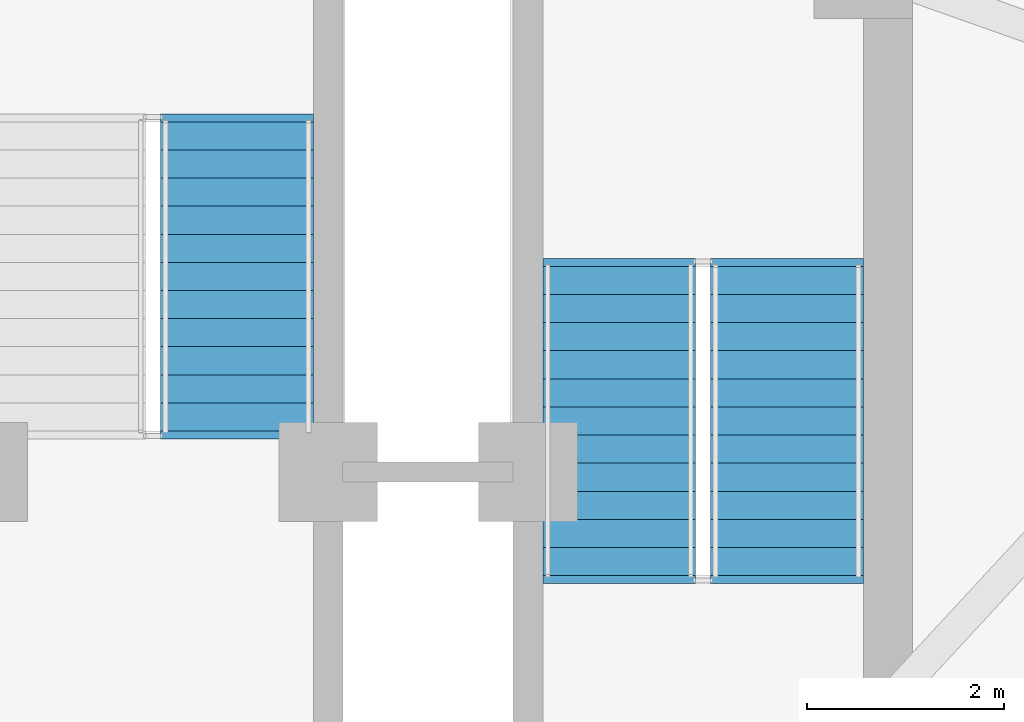
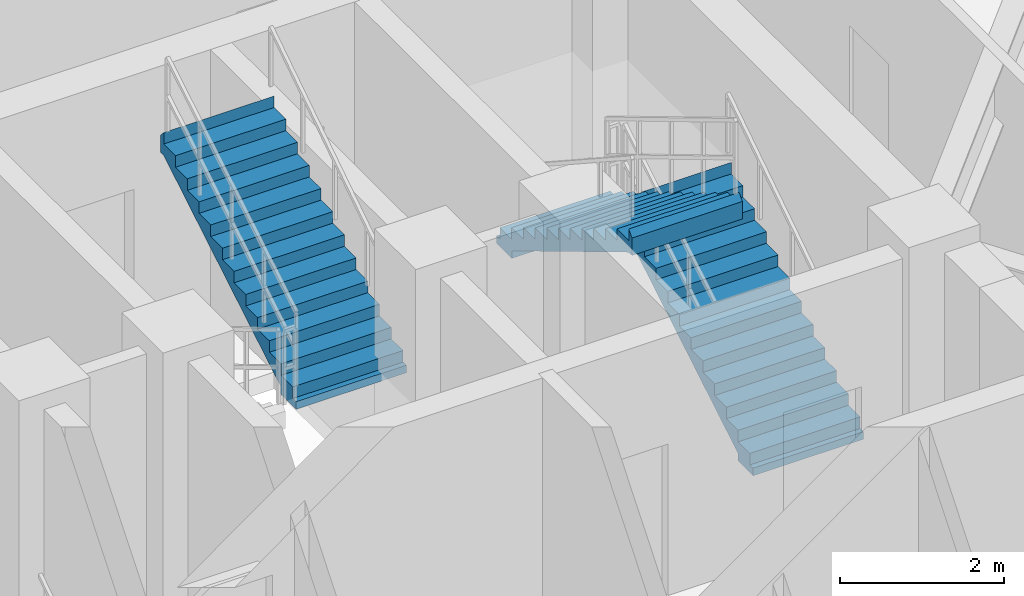
# One storey, part 7 of 10: 3 stair flights, 2 elements without a shape of their own.
"""IFC4 building model written with IfcOpenShell, lengths in metres."""

from ifc_helpers import new_model, si_unit, direction, frame, origin, place, context, subcontext, project, spatial, polyline, outline, extrude, material, type_object, element, aggregate, save


model = new_model("IFC4")

# Units and contexts
model_context = context("Model", 3, precision=1e-05, world=origin(), true_north=direction((0.0, 1.0)))
body_context = subcontext(model_context, "Body", "Model", "MODEL_VIEW")
ifc_project = project(units=[si_unit("LENGTHUNIT", "METRE"), si_unit("AREAUNIT", "SQUARE_METRE"), si_unit("VOLUMEUNIT", "CUBIC_METRE"), si_unit("PLANEANGLEUNIT", "RADIAN"), si_unit("MASSUNIT", "GRAM", prefix="KILO")], contexts=[model_context])

# Site, building, storey
site_placement = place(None, origin())
site = spatial("IfcSite", under=ifc_project, at=site_placement, CompositionType="ELEMENT")
building_placement = place(site_placement, origin())
building = spatial("IfcBuilding", under=site, at=building_placement, Name="Apsidion Concourse Tower", CompositionType="ELEMENT")
storey_placement = place(building_placement, frame((0.0, 0.0, 286.0)))
storey = spatial("IfcBuildingStorey", under=building, at=storey_placement, Name="L67", CompositionType="ELEMENT", Elevation=286.0)

# Stair, stair flights
ifc_material = material(Name="Precast concrete C40/50", Category="concrete")
stair_type = type_object("IfcStairType", Name="ST-DL-1550", PredefinedType="HALF_TURN_STAIR", material=ifc_material)
stair_1_placement = place(storey_placement, origin())
stair_1 = element("IfcStair", 1, at=stair_1_placement, inside=storey, type_object=stair_type, Name="L67 Protected Core Exit Stair ST2", PredefinedType="HALF_TURN_STAIR")
stair_flight_type = type_object("IfcStairFlightType", Name="SFL-RC-1550", PredefinedType="STRAIGHT", material=ifc_material)
stair_flight_1_placement = place(storey_placement, frame((6.425048828125, 3.0, 0.0), z_axis=(0.0, 0.0, 1.0), x_axis=(0.0, 1.0, 0.0)))
stair_flight_1 = element("IfcStairFlight", 2, at=stair_flight_1_placement, type_object=stair_flight_type, Name="ST2 flight 1", NumberOfRisers=12, NumberOfTreads=11, PredefinedType="STRAIGHT", RiserHeight=0.170833333, TreadLength=0.285, context=body_context, shape_type="SweptSolid", body=[
    extrude(outline(polyline([(-0.080078125, -0.1123046875), (-0.080078125, 0.0), (0.0, 0.0), (0.0, 0.1708984375), (0.284912109375, 0.1708984375), (0.284912109375, 0.341552734375), (0.570068359375, 0.341552734375), (0.570068359375, 0.512451171875), (0.85498046875, 0.512451171875), (0.85498046875, 0.683349609375), (1.139892578125, 0.683349609375), (1.139892578125, 0.854248046875), (1.425048828125, 0.854248046875), (1.425048828125, 1.02490234375), (1.7099609375, 1.02490234375), (1.7099609375, 1.19580078125), (1.9951171875, 1.19580078125), (1.9951171875, 1.36669921875), (2.280029296875, 1.36669921875), (2.280029296875, 1.53759765625), (2.56494140625, 1.53759765625), (2.56494140625, 1.708251953125), (2.85009765625, 1.708251953125), (2.85009765625, 1.879150390625), (3.135009765625, 1.879150390625), (3.135009765625, 2.050048828125), (3.215087890625, 1.964599609375), (3.215087890625, 1.704345703125), (3.135009765625, 1.704345703125), (0.29150390625, 0.0), (0.29150390625, -0.1123046875), (-0.080078125, -0.1123046875)])), frame((0.0, 0.77490234375, 0.0), z_axis=(0.0, -1.0, 0.0), x_axis=(1.0, 0.0, 0.0)), (0.0, 0.0, 1.0), 1.550048828125),
])
stair_flight_2_placement = place(storey_placement, frame((4.72509765625, 6.135009765625, 2.050048828125), z_axis=(0.0, 0.0, 1.0), x_axis=(0.0, -1.0, 0.0)))
stair_flight_2 = element("IfcStairFlight", 3, at=stair_flight_2_placement, type_object=stair_flight_type, Name="ST2 flight 2", NumberOfRisers=12, NumberOfTreads=11, PredefinedType="STRAIGHT", RiserHeight=0.170833333, TreadLength=0.285, context=body_context, shape_type="SweptSolid", body=[
    extrude(outline(polyline([(-0.080078125, -0.1123046875), (-0.080078125, 0.0), (0.0, 0.0), (0.0, 0.1708984375), (0.284912109375, 0.1708984375), (0.284912109375, 0.341552734375), (0.570068359375, 0.341552734375), (0.570068359375, 0.512451171875), (0.85498046875, 0.512451171875), (0.85498046875, 0.683349609375), (1.139892578125, 0.683349609375), (1.139892578125, 0.854248046875), (1.425048828125, 0.854248046875), (1.425048828125, 1.02490234375), (1.7099609375, 1.02490234375), (1.7099609375, 1.19580078125), (1.9951171875, 1.19580078125), (1.9951171875, 1.36669921875), (2.280029296875, 1.36669921875), (2.280029296875, 1.53759765625), (2.56494140625, 1.53759765625), (2.56494140625, 1.708251953125), (2.85009765625, 1.708251953125), (2.85009765625, 1.879150390625), (3.135009765625, 1.879150390625), (3.135009765625, 2.050048828125), (3.215087890625, 1.964599609375), (3.215087890625, 1.704345703125), (3.135009765625, 1.704345703125), (0.29150390625, 0.0), (0.29150390625, -0.1123046875), (-0.080078125, -0.1123046875)])), frame((0.0, 0.77490234375, 0.0), z_axis=(0.0, -1.0, 0.0), x_axis=(1.0, 0.0, 0.0)), (0.0, 0.0, 1.0), 1.550048828125),
])
aggregate(stair_1, [stair_flight_1, stair_flight_2])

# Stair, stair flight
stair_2_placement = place(storey_placement, origin())
stair_2 = element("IfcStair", 4, at=stair_2_placement, inside=storey, type_object=stair_type, Name="L67 Protected Core Exit Stair ST3", PredefinedType="HALF_TURN_STAIR")
stair_flight_3_placement = place(storey_placement, frame((0.85009765625, 4.465087890625, 2.050048828125), z_axis=(0.0, 0.0, 1.0), x_axis=(0.0, 1.0, 0.0)))
stair_flight_3 = element("IfcStairFlight", 5, at=stair_flight_3_placement, type_object=stair_flight_type, Name="ST3 flight 2", NumberOfRisers=12, NumberOfTreads=11, PredefinedType="STRAIGHT", RiserHeight=0.170833333, TreadLength=0.285, context=body_context, shape_type="SweptSolid", body=[
    extrude(outline(polyline([(-0.080078125, -0.1123046875), (-0.080078125, 0.0), (0.0, 0.0), (0.0, 0.1708984375), (0.284912109375, 0.1708984375), (0.284912109375, 0.341552734375), (0.570068359375, 0.341552734375), (0.570068359375, 0.512451171875), (0.85498046875, 0.512451171875), (0.85498046875, 0.683349609375), (1.139892578125, 0.683349609375), (1.139892578125, 0.854248046875), (1.425048828125, 0.854248046875), (1.425048828125, 1.02490234375), (1.7099609375, 1.02490234375), (1.7099609375, 1.19580078125), (1.9951171875, 1.19580078125), (1.9951171875, 1.36669921875), (2.280029296875, 1.36669921875), (2.280029296875, 1.53759765625), (2.56494140625, 1.53759765625), (2.56494140625, 1.708251953125), (2.85009765625, 1.708251953125), (2.85009765625, 1.879150390625), (3.135009765625, 1.879150390625), (3.135009765625, 2.050048828125), (3.215087890625, 1.964599609375), (3.215087890625, 1.704345703125), (3.135009765625, 1.704345703125), (0.29150390625, 0.0), (0.29150390625, -0.1123046875), (-0.080078125, -0.1123046875)])), frame((0.0, 0.77490234375, 0.0), z_axis=(0.0, -1.0, 0.0), x_axis=(1.0, 0.0, 0.0)), (0.0, 0.0, 1.0), 1.550048828125),
])
aggregate(stair_2, [stair_flight_3])

save(model, "model.ifc")
